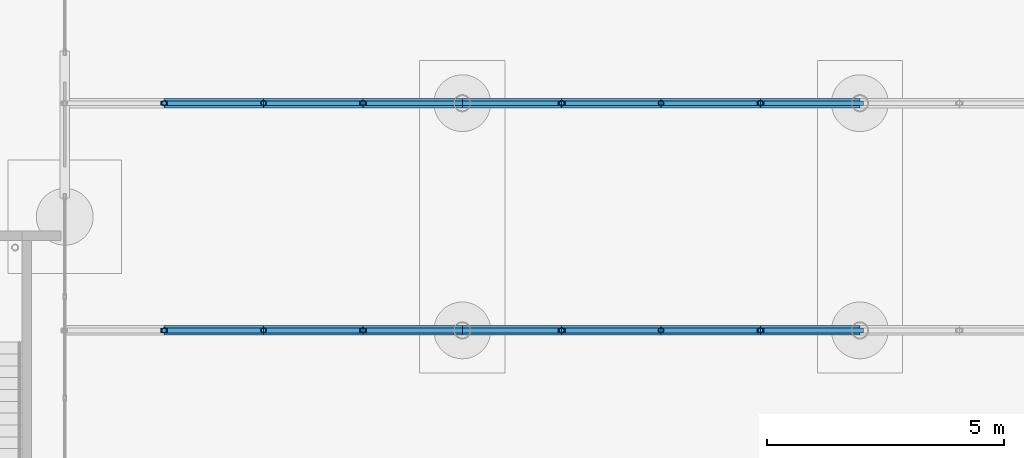
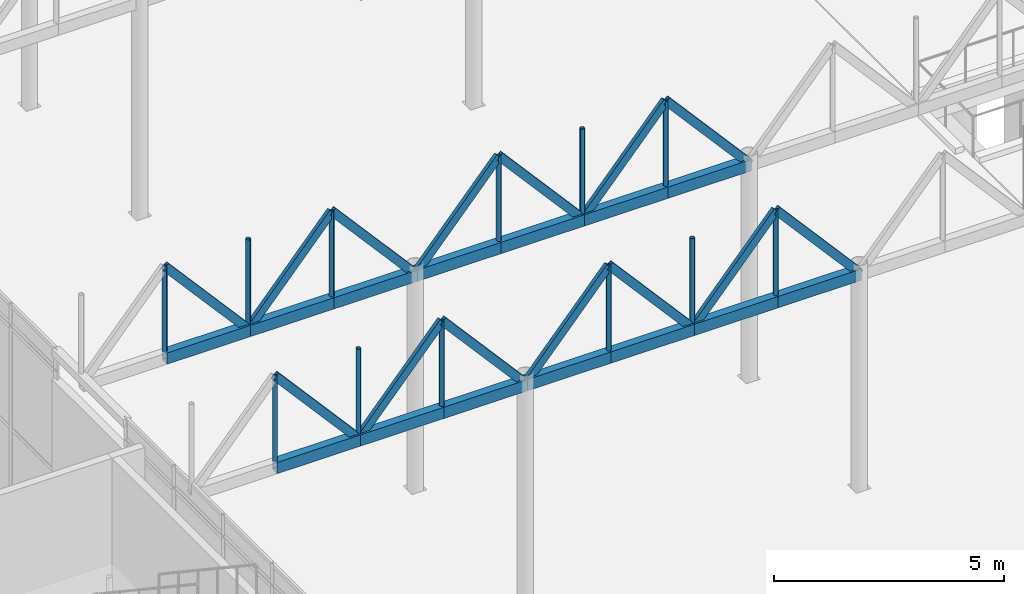
# One storey, part 113 of 212: 40 members.
"""IFC4 building model written with IfcOpenShell, lengths in metres."""

from ifc_helpers import new_model, si_unit, direction, frame, origin, origin_2d, place, context, subcontext, project, spatial, hollow_rectangle, hollow_circle, extrude, material, material_profile, profile_set, type_object, element, save


model = new_model("IFC4")

# Units and contexts
model_context = context("Model", 3, precision=1e-05, world=origin(), true_north=direction((0.0, 1.0)))
body_context = subcontext(model_context, "Body", "Model", "MODEL_VIEW")
ifc_project = project(units=[si_unit("LENGTHUNIT", "METRE"), si_unit("AREAUNIT", "SQUARE_METRE"), si_unit("VOLUMEUNIT", "CUBIC_METRE"), si_unit("PLANEANGLEUNIT", "RADIAN"), si_unit("MASSUNIT", "GRAM", prefix="KILO")], contexts=[model_context])

# Site, building, storey
site_placement = place(None, origin())
site = spatial("IfcSite", under=ifc_project, at=site_placement, CompositionType="ELEMENT")
building_placement = place(site_placement, origin())
building = spatial("IfcBuilding", under=site, at=building_placement, Name="Catenary Quay Ferry Terminal", CompositionType="ELEMENT")
storey_placement = place(building_placement, origin())
storey = spatial("IfcBuildingStorey", under=building, at=storey_placement, Name="L00", CompositionType="ELEMENT", Elevation=0.0)

# Members
ifc_material_1 = material(Name="Steel S355", Category="steel")
ifc_material_profile_1 = material_profile(ifc_material_1, hollow_rectangle(XDim=0.10009765625, YDim=0.199951171875, WallThickness=0.008056640625, at=origin_2d()), Name="RHS 200x100x8")
ifc_profile_set_1 = profile_set([ifc_material_profile_1], Name="Steel S355")
member_type_1 = type_object("IfcMemberType", Name="BR3 RHS 200x100x8", PredefinedType="BRACE", material=ifc_profile_set_1)
member_1_placement = place(storey_placement, frame((94.5, 73.199951171875, 8.10009765625), z_axis=(0.65849918825, 0.0, -0.752581436839), x_axis=(0.0, 1.0, 0.0)))
element("IfcMember", 1, at=member_1_placement, inside=storey, type_object=member_type_1, Name="Bridge diagonal BB1S-D02", PredefinedType="BRACE", context=body_context, shape_type="SweptSolid", body=[
    extrude(hollow_rectangle(XDim=0.10009765625, YDim=0.199951171875, WallThickness=0.008056640625, at=origin_2d()), origin(), (0.0, 0.0, 1.0), 3.189208984375),
])
member_2_placement = place(storey_placement, frame((96.60009765625, 73.199951171875, 5.699951171875), z_axis=(0.658455827614, 0.0, 0.752619374639), x_axis=(0.0, 1.0, 0.0)))
element("IfcMember", 2, at=member_2_placement, inside=storey, type_object=member_type_1, Name="Bridge diagonal BB1S-D03", PredefinedType="BRACE", context=body_context, shape_type="SweptSolid", body=[
    extrude(hollow_rectangle(XDim=0.10009765625, YDim=0.199951171875, WallThickness=0.008056640625, at=origin_2d()), origin(), (0.0, 0.0, 1.0), 3.18896484375),
])
member_3_placement = place(storey_placement, frame((98.699951171875, 73.199951171875, 8.10009765625), z_axis=(0.65849918825, 0.0, -0.752581436839), x_axis=(0.0, 1.0, 0.0)))
element("IfcMember", 3, at=member_3_placement, inside=storey, type_object=member_type_1, Name="Bridge diagonal BB1S-D04", PredefinedType="BRACE", context=body_context, shape_type="SweptSolid", body=[
    extrude(hollow_rectangle(XDim=0.10009765625, YDim=0.199951171875, WallThickness=0.008056640625, at=origin_2d()), origin(), (0.0, 0.0, 1.0), 3.189208984375),
])
member_4_placement = place(storey_placement, frame((100.800048828125, 73.199951171875, 5.699951171875), z_axis=(0.658455827614, 0.0, 0.752619374639), x_axis=(0.0, 1.0, 0.0)))
element("IfcMember", 4, at=member_4_placement, inside=storey, type_object=member_type_1, Name="Bridge diagonal BB1S-D05", PredefinedType="BRACE", context=body_context, shape_type="SweptSolid", body=[
    extrude(hollow_rectangle(XDim=0.10009765625, YDim=0.199951171875, WallThickness=0.008056640625, at=origin_2d()), origin(), (0.0, 0.0, 1.0), 3.18896484375),
])
for number, where, z_axis, x_axis, name in (
    (5, (102.89990234375, 73.199951171875, 8.10009765625), (0.65849918825, 0.0, -0.752581436839), (0.0, 1.0, 0.0), "Bridge diagonal BB1S-D06"),
    (6, (105.0, 73.199951171875, 5.699951171875), (0.65849918825, 0.0, 0.752581436839), (0.0, 1.0, 0.0), "Bridge diagonal BB1S-D07"),
):
    element("IfcMember", number, at=place(storey_placement, frame(where, z_axis=z_axis, x_axis=x_axis)), inside=storey, type_object=member_type_1, Name=name, PredefinedType="BRACE", context=body_context, shape_type="SweptSolid", body=[
        extrude(hollow_rectangle(XDim=0.10009765625, YDim=0.199951171875, WallThickness=0.008056640625, at=origin_2d()), origin(), (0.0, 0.0, 1.0), 3.189208984375),
    ])
member_5_placement = place(storey_placement, frame((107.10009765625, 73.199951171875, 8.10009765625), z_axis=(0.658455827614, 0.0, -0.752619374639), x_axis=(0.0, 1.0, 0.0)))
element("IfcMember", 7, at=member_5_placement, inside=storey, type_object=member_type_1, Name="Bridge diagonal BB1S-D08", PredefinedType="BRACE", context=body_context, shape_type="SweptSolid", body=[
    extrude(hollow_rectangle(XDim=0.10009765625, YDim=0.199951171875, WallThickness=0.008056640625, at=origin_2d()), origin(), (0.0, 0.0, 1.0), 3.18896484375),
])
member_6_placement = place(storey_placement, frame((94.5, 78.0, 8.10009765625), z_axis=(0.65849918825, 0.0, -0.752581436839), x_axis=(0.0, 1.0, 0.0)))
element("IfcMember", 8, at=member_6_placement, inside=storey, type_object=member_type_1, Name="Bridge diagonal BB1N-D02", PredefinedType="BRACE", context=body_context, shape_type="SweptSolid", body=[
    extrude(hollow_rectangle(XDim=0.10009765625, YDim=0.199951171875, WallThickness=0.008056640625, at=origin_2d()), origin(), (0.0, 0.0, 1.0), 3.189208984375),
])
member_7_placement = place(storey_placement, frame((96.60009765625, 78.0, 5.699951171875), z_axis=(0.658455827614, 0.0, 0.752619374639), x_axis=(0.0, 1.0, 0.0)))
element("IfcMember", 9, at=member_7_placement, inside=storey, type_object=member_type_1, Name="Bridge diagonal BB1N-D03", PredefinedType="BRACE", context=body_context, shape_type="SweptSolid", body=[
    extrude(hollow_rectangle(XDim=0.10009765625, YDim=0.199951171875, WallThickness=0.008056640625, at=origin_2d()), origin(), (0.0, 0.0, 1.0), 3.18896484375),
])
member_8_placement = place(storey_placement, frame((98.699951171875, 78.0, 8.10009765625), z_axis=(0.65849918825, 0.0, -0.752581436839), x_axis=(0.0, 1.0, 0.0)))
element("IfcMember", 10, at=member_8_placement, inside=storey, type_object=member_type_1, Name="Bridge diagonal BB1N-D04", PredefinedType="BRACE", context=body_context, shape_type="SweptSolid", body=[
    extrude(hollow_rectangle(XDim=0.10009765625, YDim=0.199951171875, WallThickness=0.008056640625, at=origin_2d()), origin(), (0.0, 0.0, 1.0), 3.189208984375),
])
member_9_placement = place(storey_placement, frame((100.800048828125, 78.0, 5.699951171875), z_axis=(0.658455827614, 0.0, 0.752619374639), x_axis=(0.0, 1.0, 0.0)))
element("IfcMember", 11, at=member_9_placement, inside=storey, type_object=member_type_1, Name="Bridge diagonal BB1N-D05", PredefinedType="BRACE", context=body_context, shape_type="SweptSolid", body=[
    extrude(hollow_rectangle(XDim=0.10009765625, YDim=0.199951171875, WallThickness=0.008056640625, at=origin_2d()), origin(), (0.0, 0.0, 1.0), 3.18896484375),
])
for number, where, z_axis, x_axis, name in (
    (12, (102.89990234375, 78.0, 8.10009765625), (0.65849918825, 0.0, -0.752581436839), (0.0, 1.0, 0.0), "Bridge diagonal BB1N-D06"),
    (13, (105.0, 78.0, 5.699951171875), (0.65849918825, 0.0, 0.752581436839), (0.0, 1.0, 0.0), "Bridge diagonal BB1N-D07"),
):
    element("IfcMember", number, at=place(storey_placement, frame(where, z_axis=z_axis, x_axis=x_axis)), inside=storey, type_object=member_type_1, Name=name, PredefinedType="BRACE", context=body_context, shape_type="SweptSolid", body=[
        extrude(hollow_rectangle(XDim=0.10009765625, YDim=0.199951171875, WallThickness=0.008056640625, at=origin_2d()), origin(), (0.0, 0.0, 1.0), 3.189208984375),
    ])
member_10_placement = place(storey_placement, frame((107.10009765625, 78.0, 8.10009765625), z_axis=(0.658455827614, 0.0, -0.752619374639), x_axis=(0.0, 1.0, 0.0)))
element("IfcMember", 14, at=member_10_placement, inside=storey, type_object=member_type_1, Name="Bridge diagonal BB1N-D08", PredefinedType="BRACE", context=body_context, shape_type="SweptSolid", body=[
    extrude(hollow_rectangle(XDim=0.10009765625, YDim=0.199951171875, WallThickness=0.008056640625, at=origin_2d()), origin(), (0.0, 0.0, 1.0), 3.18896484375),
])
ifc_material_2 = material(Name="Steel S355", Category="steel")
ifc_material_profile_2 = material_profile(ifc_material_2, hollow_circle(Radius=0.05712890625, WallThickness=0.00634765625, at=origin_2d()), Name="CHS 114.3x6.3")
ifc_profile_set_2 = profile_set([ifc_material_profile_2], Name="Steel S355")
member_type_2 = type_object("IfcMemberType", Name="HG1 CHS 114.3x6.3", PredefinedType="POST", material=ifc_profile_set_2)
for number, where, z_axis, x_axis, name in (
    (15, (94.5, 73.199951171875, 5.699951171875), (0.0, 0.0, 1.0), (1.0, 0.0, 0.0), "Bridge post BB1S-P02"),
    (16, (96.60009765625, 73.199951171875, 5.699951171875), (0.0, 0.0, 1.0), (1.0, 0.0, 0.0), "Bridge post BB1S-P03"),
    (17, (98.699951171875, 73.199951171875, 5.699951171875), (0.0, 0.0, 1.0), (1.0, 0.0, 0.0), "Bridge post BB1S-P04"),
    (18, (102.89990234375, 73.199951171875, 5.699951171875), (0.0, 0.0, 1.0), (1.0, 0.0, 0.0), "Bridge post BB1S-P06"),
    (19, (105.0, 73.199951171875, 5.699951171875), (0.0, 0.0, 1.0), (1.0, 0.0, 0.0), "Bridge post BB1S-P07"),
    (20, (107.10009765625, 73.199951171875, 5.699951171875), (0.0, 0.0, 1.0), (1.0, 0.0, 0.0), "Bridge post BB1S-P08"),
    (21, (94.5, 78.0, 5.699951171875), (0.0, 0.0, 1.0), (1.0, 0.0, 0.0), "Bridge post BB1N-P02"),
    (22, (96.60009765625, 78.0, 5.699951171875), (0.0, 0.0, 1.0), (1.0, 0.0, 0.0), "Bridge post BB1N-P03"),
    (23, (98.699951171875, 78.0, 5.699951171875), (0.0, 0.0, 1.0), (1.0, 0.0, 0.0), "Bridge post BB1N-P04"),
    (24, (102.89990234375, 78.0, 5.699951171875), (0.0, 0.0, 1.0), (1.0, 0.0, 0.0), "Bridge post BB1N-P06"),
    (25, (105.0, 78.0, 5.699951171875), (0.0, 0.0, 1.0), (1.0, 0.0, 0.0), "Bridge post BB1N-P07"),
    (26, (107.10009765625, 78.0, 5.699951171875), (0.0, 0.0, 1.0), (1.0, 0.0, 0.0), "Bridge post BB1N-P08"),
):
    element("IfcMember", number, at=place(storey_placement, frame(where, z_axis=z_axis, x_axis=x_axis)), inside=storey, type_object=member_type_2, Name=name, PredefinedType="POST", context=body_context, shape_type="SweptSolid", body=[
        extrude(hollow_circle(Radius=0.05712890625, WallThickness=0.00634765625, at=origin_2d()), origin(), (0.0, 0.0, 1.0), 2.400146484375),
    ])
ifc_material_3 = material(Name="Steel S355", Category="steel")
ifc_material_profile_3 = material_profile(ifc_material_3, hollow_rectangle(XDim=0.199951171875, YDim=0.300048828125, WallThickness=0.012451171875, at=origin_2d()), Name="RHS 300x200x12.5")
ifc_profile_set_3 = profile_set([ifc_material_profile_3], Name="Steel S355")
member_type_3 = type_object("IfcMemberType", Name="TC1 RHS 300x200x12.5", PredefinedType="CHORD", material=ifc_profile_set_3)
member_11_placement = place(storey_placement, frame((94.5, 73.199951171875, 5.699951171875), z_axis=(1.0, 0.0, 0.0), x_axis=(0.0, 1.0, 0.0)))
element("IfcMember", 27, at=member_11_placement, inside=storey, type_object=member_type_3, Name="Bridge bottom chord BB1S-BC02", PredefinedType="CHORD", context=body_context, shape_type="SweptSolid", body=[
    extrude(hollow_rectangle(XDim=0.199951171875, YDim=0.300048828125, WallThickness=0.012451171875, at=origin_2d()), origin(), (0.0, 0.0, 1.0), 2.10009765625),
])
member_12_placement = place(storey_placement, frame((96.60009765625, 73.199951171875, 5.699951171875), z_axis=(1.0, 0.0, 0.0), x_axis=(0.0, 1.0, 0.0)))
element("IfcMember", 28, at=member_12_placement, inside=storey, type_object=member_type_3, Name="Bridge bottom chord BB1S-BC03", PredefinedType="CHORD", context=body_context, shape_type="SweptSolid", body=[
    extrude(hollow_rectangle(XDim=0.199951171875, YDim=0.300048828125, WallThickness=0.012451171875, at=origin_2d()), origin(), (0.0, 0.0, 1.0), 2.099853515625),
])
member_13_placement = place(storey_placement, frame((98.699951171875, 73.199951171875, 5.699951171875), z_axis=(1.0, 0.0, 0.0), x_axis=(0.0, 1.0, 0.0)))
element("IfcMember", 29, at=member_13_placement, inside=storey, type_object=member_type_3, Name="Bridge bottom chord BB1S-BC04", PredefinedType="CHORD", context=body_context, shape_type="SweptSolid", body=[
    extrude(hollow_rectangle(XDim=0.199951171875, YDim=0.300048828125, WallThickness=0.012451171875, at=origin_2d()), origin(), (0.0, 0.0, 1.0), 2.10009765625),
])
member_14_placement = place(storey_placement, frame((100.800048828125, 73.199951171875, 5.699951171875), z_axis=(1.0, 0.0, 0.0), x_axis=(0.0, 1.0, 0.0)))
element("IfcMember", 30, at=member_14_placement, inside=storey, type_object=member_type_3, Name="Bridge bottom chord BB1S-BC05", PredefinedType="CHORD", context=body_context, shape_type="SweptSolid", body=[
    extrude(hollow_rectangle(XDim=0.199951171875, YDim=0.300048828125, WallThickness=0.012451171875, at=origin_2d()), origin(), (0.0, 0.0, 1.0), 2.099853515625),
])
for number, where, z_axis, x_axis, name in (
    (31, (102.89990234375, 73.199951171875, 5.699951171875), (1.0, 0.0, 0.0), (0.0, 1.0, 0.0), "Bridge bottom chord BB1S-BC06"),
    (32, (105.0, 73.199951171875, 5.699951171875), (1.0, 0.0, 0.0), (0.0, 1.0, 0.0), "Bridge bottom chord BB1S-BC07"),
):
    element("IfcMember", number, at=place(storey_placement, frame(where, z_axis=z_axis, x_axis=x_axis)), inside=storey, type_object=member_type_3, Name=name, PredefinedType="CHORD", context=body_context, shape_type="SweptSolid", body=[
        extrude(hollow_rectangle(XDim=0.199951171875, YDim=0.300048828125, WallThickness=0.012451171875, at=origin_2d()), origin(), (0.0, 0.0, 1.0), 2.10009765625),
    ])
member_15_placement = place(storey_placement, frame((107.10009765625, 73.199951171875, 5.699951171875), z_axis=(1.0, 0.0, 0.0), x_axis=(0.0, 1.0, 0.0)))
element("IfcMember", 33, at=member_15_placement, inside=storey, type_object=member_type_3, Name="Bridge bottom chord BB1S-BC08", PredefinedType="CHORD", context=body_context, shape_type="SweptSolid", body=[
    extrude(hollow_rectangle(XDim=0.199951171875, YDim=0.300048828125, WallThickness=0.012451171875, at=origin_2d()), origin(), (0.0, 0.0, 1.0), 2.099853515625),
])
member_16_placement = place(storey_placement, frame((94.5, 78.0, 5.699951171875), z_axis=(1.0, 0.0, 0.0), x_axis=(0.0, 1.0, 0.0)))
element("IfcMember", 34, at=member_16_placement, inside=storey, type_object=member_type_3, Name="Bridge bottom chord BB1N-BC02", PredefinedType="CHORD", context=body_context, shape_type="SweptSolid", body=[
    extrude(hollow_rectangle(XDim=0.199951171875, YDim=0.300048828125, WallThickness=0.012451171875, at=origin_2d()), origin(), (0.0, 0.0, 1.0), 2.10009765625),
])
member_17_placement = place(storey_placement, frame((96.60009765625, 78.0, 5.699951171875), z_axis=(1.0, 0.0, 0.0), x_axis=(0.0, 1.0, 0.0)))
element("IfcMember", 35, at=member_17_placement, inside=storey, type_object=member_type_3, Name="Bridge bottom chord BB1N-BC03", PredefinedType="CHORD", context=body_context, shape_type="SweptSolid", body=[
    extrude(hollow_rectangle(XDim=0.199951171875, YDim=0.300048828125, WallThickness=0.012451171875, at=origin_2d()), origin(), (0.0, 0.0, 1.0), 2.099853515625),
])
member_18_placement = place(storey_placement, frame((98.699951171875, 78.0, 5.699951171875), z_axis=(1.0, 0.0, 0.0), x_axis=(0.0, 1.0, 0.0)))
element("IfcMember", 36, at=member_18_placement, inside=storey, type_object=member_type_3, Name="Bridge bottom chord BB1N-BC04", PredefinedType="CHORD", context=body_context, shape_type="SweptSolid", body=[
    extrude(hollow_rectangle(XDim=0.199951171875, YDim=0.300048828125, WallThickness=0.012451171875, at=origin_2d()), origin(), (0.0, 0.0, 1.0), 2.10009765625),
])
member_19_placement = place(storey_placement, frame((100.800048828125, 78.0, 5.699951171875), z_axis=(1.0, 0.0, 0.0), x_axis=(0.0, 1.0, 0.0)))
element("IfcMember", 37, at=member_19_placement, inside=storey, type_object=member_type_3, Name="Bridge bottom chord BB1N-BC05", PredefinedType="CHORD", context=body_context, shape_type="SweptSolid", body=[
    extrude(hollow_rectangle(XDim=0.199951171875, YDim=0.300048828125, WallThickness=0.012451171875, at=origin_2d()), origin(), (0.0, 0.0, 1.0), 2.099853515625),
])
for number, where, z_axis, x_axis, name in (
    (38, (102.89990234375, 78.0, 5.699951171875), (1.0, 0.0, 0.0), (0.0, 1.0, 0.0), "Bridge bottom chord BB1N-BC06"),
    (39, (105.0, 78.0, 5.699951171875), (1.0, 0.0, 0.0), (0.0, 1.0, 0.0), "Bridge bottom chord BB1N-BC07"),
):
    element("IfcMember", number, at=place(storey_placement, frame(where, z_axis=z_axis, x_axis=x_axis)), inside=storey, type_object=member_type_3, Name=name, PredefinedType="CHORD", context=body_context, shape_type="SweptSolid", body=[
        extrude(hollow_rectangle(XDim=0.199951171875, YDim=0.300048828125, WallThickness=0.012451171875, at=origin_2d()), origin(), (0.0, 0.0, 1.0), 2.10009765625),
    ])
member_20_placement = place(storey_placement, frame((107.10009765625, 78.0, 5.699951171875), z_axis=(1.0, 0.0, 0.0), x_axis=(0.0, 1.0, 0.0)))
element("IfcMember", 40, at=member_20_placement, inside=storey, type_object=member_type_3, Name="Bridge bottom chord BB1N-BC08", PredefinedType="CHORD", context=body_context, shape_type="SweptSolid", body=[
    extrude(hollow_rectangle(XDim=0.199951171875, YDim=0.300048828125, WallThickness=0.012451171875, at=origin_2d()), origin(), (0.0, 0.0, 1.0), 2.099853515625),
])

save(model, "model.ifc")
